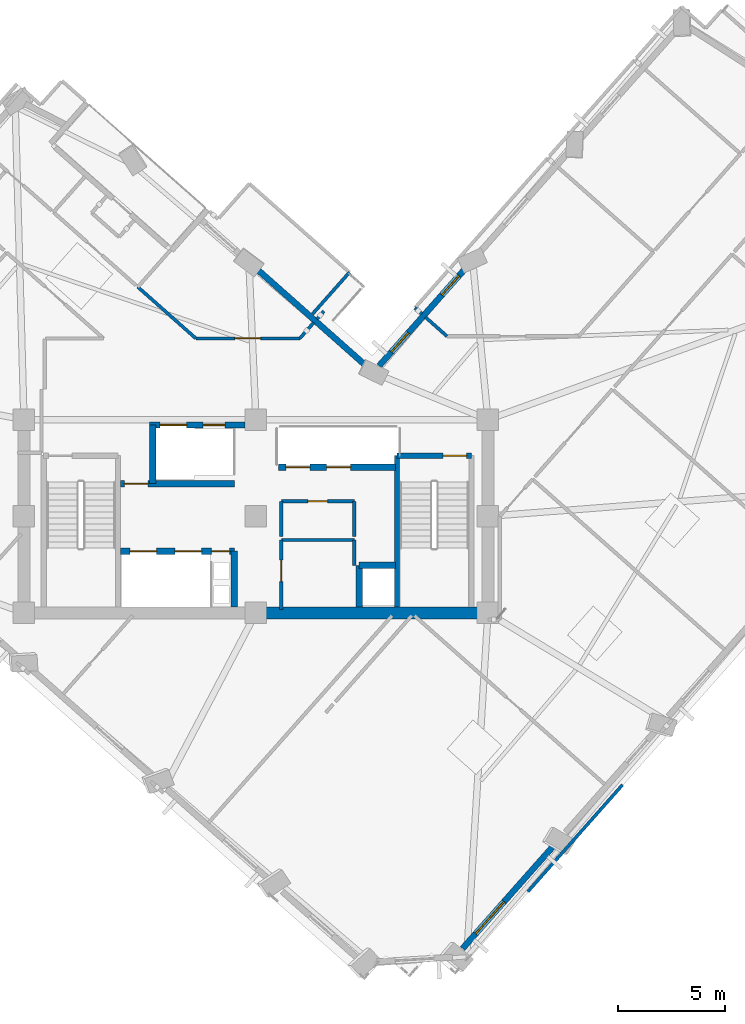
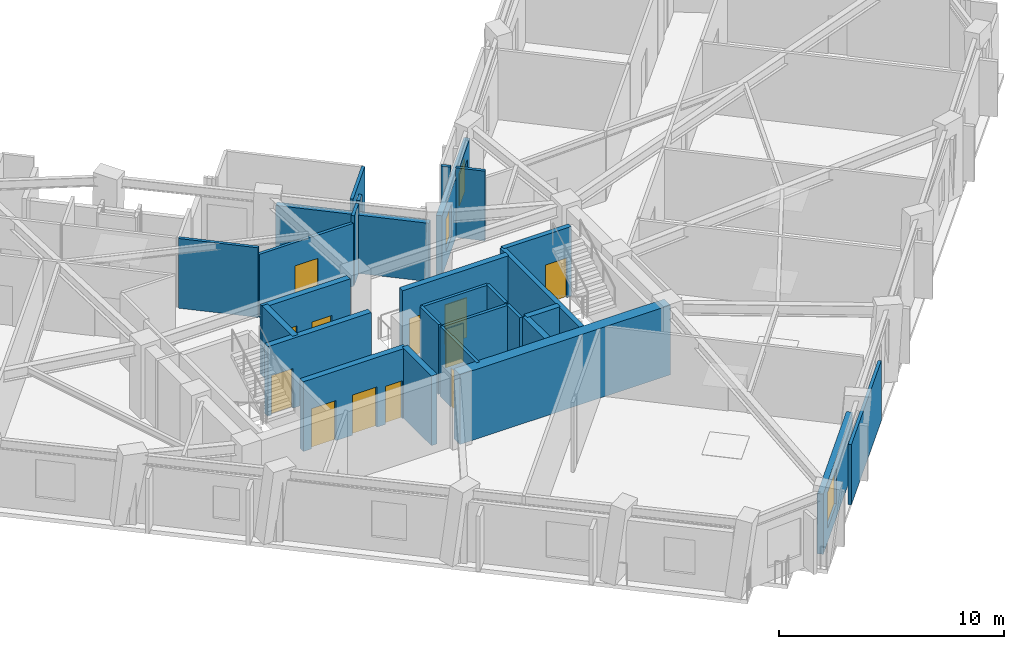
# One storey, part 6 of 13: 28 walls, 12 doors, 3 windows, 15 openings.
"""IFC4 building model written with IfcOpenShell, lengths in metres."""

from ifc_helpers import new_model, si_unit, direction, frame, frame_2d, origin, place, context, subcontext, project, spatial, rectangle, extrude, material, layer, layer_set, type_object, element, fill, save


model = new_model("IFC4")

# Units and contexts
model_context = context("Model", 3, precision=1e-05, world=origin(), true_north=direction((0.0, 1.0)))
body_context = subcontext(model_context, "Body", "Model", "MODEL_VIEW")
ifc_project = project(units=[si_unit("LENGTHUNIT", "METRE"), si_unit("AREAUNIT", "SQUARE_METRE"), si_unit("VOLUMEUNIT", "CUBIC_METRE"), si_unit("PLANEANGLEUNIT", "RADIAN"), si_unit("MASSUNIT", "GRAM", prefix="KILO")], contexts=[model_context])

# Site, building, storey
site_placement = place(None, origin())
site = spatial("IfcSite", under=ifc_project, at=site_placement, CompositionType="ELEMENT")
building_placement = place(site_placement, origin())
building = spatial("IfcBuilding", under=site, at=building_placement, Name="Gaonmaruhae Medical Tower", CompositionType="ELEMENT")
storey_placement = place(building_placement, frame((0.0, 0.0, 231.199951171875)))
storey = spatial("IfcBuildingStorey", under=building, at=storey_placement, Name="L55", CompositionType="ELEMENT", Elevation=231.199951171875)

# Wall
ifc_material_1 = material(Name="Concrete C50/60", Category="concrete")
ifc_layer_1 = layer(ifc_material_1, 0.550048828125)
ifc_layer_set_1 = layer_set([ifc_layer_1], Name="Concrete C50/60")
wall_type_1 = type_object("IfcWallType", Name="CW-550 Mid-High Core Shear Wall", PredefinedType="SHEAR", material=ifc_layer_set_1)
wall_1_placement = place(storey_placement, frame((24.800048828125, 7.800048828125, 0.0), z_axis=(0.0, 0.0, 1.0), x_axis=(1.0, 0.0, 0.0)))
element("IfcWall", 1, at=wall_1_placement, inside=storey, type_object=wall_type_1, Name="L55 Core Shear Wall CSW-S2", PredefinedType="SHEAR", context=body_context, shape_type="SweptSolid", body=[
    extrude(rectangle(XDim=10.800048828125, YDim=0.550048828125, at=frame_2d((5.39990234375, 0.0))), origin(), (0.0, 0.0, 1.0), 3.780029296875),
])

# Wall, opening, window
ifc_material_2 = material(Name="Precast concrete C45/55", Category="concrete")
ifc_layer_2 = layer(ifc_material_2, 0.280029296875)
ifc_layer_set_2 = layer_set([ifc_layer_2], Name="Precast concrete C45/55")
wall_type_2 = type_object("IfcWallType", Name="EW-280 Upper Precast Masonry-Frame Facade Wall", PredefinedType="SOLIDWALL", material=ifc_layer_set_2)
wall_2_placement = place(storey_placement, frame((38.7197265625, -2.96923828125, 0.0), z_axis=(0.0, 0.0, 1.0), x_axis=(-0.663281157771, -0.748370299882, 0.0)))
wall_2 = element("IfcWall", 2, at=wall_2_placement, inside=storey, type_object=wall_type_2, Name="L55 Precast Masonry-Frame Wall S01-S02", PredefinedType="SOLIDWALL", context=body_context, shape_type="SweptSolid", body=[
    extrude(rectangle(XDim=6.484375, YDim=0.280029296875, at=frame_2d((3.2421875, 0.0))), origin(), (0.0, 0.0, 1.0), 3.26513671875),
])
opening_1_placement = place(wall_2_placement, frame((3.573974609375, 0.0, 0.75)))
opening_1 = element("IfcOpeningElement", 3, at=opening_1_placement, cuts=wall_2, Name="Opening WN-02", PredefinedType="OPENING", context=body_context, shape_type="SweptSolid", body=[
    extrude(rectangle(XDim=2.0, YDim=1.949951171875, at=frame_2d((1.0, 0.97509765625))), frame((0.0, 0.14990234375, 0.0), z_axis=(0.0, -1.0, 0.0), x_axis=(1.0, 0.0, 0.0)), (0.0, 0.0, 1.0), 0.300048828125),
])
ifc_material_3 = material(Name="Anodised aluminium and Low-E double glazing", Category="aluminium")
window_type_1 = type_object("IfcWindowType", Name="WN-02 Double-Bed Ward Punched Window 2000x1950", PartitioningType="SINGLE_PANEL", PredefinedType="WINDOW", material=ifc_material_3)
window_1_placement = place(opening_1_placement, origin())
window_1 = element("IfcWindow", 4, at=window_1_placement, inside=storey, type_object=window_type_1, Name="L55 Modular Facade Window S01", OverallHeight=1.949951171875, OverallWidth=2.0, PartitioningType="SINGLE_PANEL", PredefinedType="WINDOW", context=body_context, shape_type="SweptSolid", body=[
    extrude(rectangle(XDim=2.0, YDim=1.949951171875, at=frame_2d((1.0, 0.97509765625))), frame((0.0, 0.030029296875, 0.0), z_axis=(0.0, -1.0, 0.0), x_axis=(1.0, 0.0, 0.0)), (0.0, 0.0, 1.0), 0.06005859375),
])
fill(opening_1, window_1)

# Wall, openings, windows
wall_3_placement = place(storey_placement, frame((30.534912109375, 19.30615234375, 0.0), z_axis=(0.0, 0.0, 1.0), x_axis=(0.663265631708, 0.748384060356, 0.0)))
wall_3 = element("IfcWall", 5, at=wall_3_placement, inside=storey, type_object=wall_type_2, Name="L55 Precast Masonry-Frame Wall EN02-KN01", PredefinedType="SOLIDWALL", context=body_context, shape_type="SweptSolid", body=[
    extrude(rectangle(XDim=6.158203125, YDim=0.280029296875, at=frame_2d((3.0791015625, 0.0))), origin(), (0.0, 0.0, 1.0), 3.26513671875),
])
opening_2_placement = place(wall_3_placement, frame((0.858154296875, 0.0, 0.75)))
opening_2 = element("IfcOpeningElement", 6, at=opening_2_placement, cuts=wall_3, Name="Opening WN-05", PredefinedType="OPENING", context=body_context, shape_type="SweptSolid", body=[
    extrude(rectangle(XDim=1.199951171875, YDim=1.75, at=frame_2d((0.60009765625, 0.875))), frame((0.0, 0.14990234375, 0.0), z_axis=(0.0, -1.0, 0.0), x_axis=(1.0, 0.0, 0.0)), (0.0, 0.0, 1.0), 0.300048828125),
])
opening_3_placement = place(wall_3_placement, frame((4.40625, 0.0, 0.75)))
opening_3 = element("IfcOpeningElement", 7, at=opening_3_placement, cuts=wall_3, Name="Opening WN-05", PredefinedType="OPENING", context=body_context, shape_type="SweptSolid", body=[
    extrude(rectangle(XDim=1.199951171875, YDim=1.75, at=frame_2d((0.60009765625, 0.875))), frame((0.0, 0.14990234375, 0.0), z_axis=(0.0, -1.0, 0.0), x_axis=(1.0, 0.0, 0.0)), (0.0, 0.0, 1.0), 0.300048828125),
])
window_type_2 = type_object("IfcWindowType", Name="WN-05 Support & Staff Punched Window 1200x1750", PartitioningType="SINGLE_PANEL", PredefinedType="WINDOW", material=ifc_material_3)
window_2_placement = place(opening_2_placement, origin())
window_2 = element("IfcWindow", 8, at=window_2_placement, inside=storey, type_object=window_type_2, Name="L55 Modular Facade Window EN02", OverallHeight=1.75, OverallWidth=1.199951171875, PartitioningType="SINGLE_PANEL", PredefinedType="WINDOW", context=body_context, shape_type="SweptSolid", body=[
    extrude(rectangle(XDim=1.199951171875, YDim=1.75, at=frame_2d((0.60009765625, 0.875))), frame((0.0, 0.030029296875, 0.0), z_axis=(0.0, -1.0, 0.0), x_axis=(1.0, 0.0, 0.0)), (0.0, 0.0, 1.0), 0.06005859375),
])
fill(opening_2, window_2)
window_3_placement = place(opening_3_placement, origin())
window_3 = element("IfcWindow", 9, at=window_3_placement, inside=storey, type_object=window_type_2, Name="L55 Modular Facade Window EN02B", OverallHeight=1.75, OverallWidth=1.199951171875, PartitioningType="SINGLE_PANEL", PredefinedType="WINDOW", context=body_context, shape_type="SweptSolid", body=[
    extrude(rectangle(XDim=1.199951171875, YDim=1.75, at=frame_2d((0.60009765625, 0.875))), frame((0.0, 0.030029296875, 0.0), z_axis=(0.0, -1.0, 0.0), x_axis=(1.0, 0.0, 0.0)), (0.0, 0.0, 1.0), 0.06005859375),
])
fill(opening_3, window_3)

# Wall
wall_4_placement = place(storey_placement, frame((24.8017578125, 23.845458984375, 0.0), z_axis=(0.0, 0.0, 1.0), x_axis=(0.748368709558, -0.663282952106, 0.0)))
element("IfcWall", 10, at=wall_4_placement, inside=storey, type_object=wall_type_2, Name="L55 Precast Masonry-Frame Wall KN01-NE01", PredefinedType="SOLIDWALL", context=body_context, shape_type="SweptSolid", body=[
    extrude(rectangle(XDim=6.958251953125, YDim=0.280029296875, at=frame_2d((3.47900390625, 0.0))), origin(), (0.0, 0.0, 1.0), 3.1650390625),
])

# Wall, opening, door
ifc_material_4 = material(Name="Gypsum board partition", Category="gypsum")
ifc_layer_3 = layer(ifc_material_4, 0.14990234375)
ifc_layer_set_3 = layer_set([ifc_layer_3], Name="Gypsum board partition")
wall_type_3 = type_object("IfcWallType", Name="PW-150 Rated Clinical Corridor Partition", PredefinedType="PARTITIONING", material=ifc_layer_set_3)
wall_5_placement = place(storey_placement, frame((25.97998046875, 7.9599609375, 0.0), z_axis=(0.0, 0.0, 1.0), x_axis=(0.0, 1.0, 0.0)))
wall_5 = element("IfcWall", 11, at=wall_5_placement, inside=storey, type_object=wall_type_3, Name="L55 Interior Partition L55-RCL1-1", PredefinedType="PARTITIONING", context=body_context, shape_type="SweptSolid", body=[
    extrude(rectangle(XDim=3.239990234375, YDim=0.14990234375, at=frame_2d((1.6201171875, 0.0))), origin(), (0.0, 0.0, 1.0), 3.780029296875),
])
opening_4_placement = place(wall_5_placement, frame((1.294921875, 0.0, 0.0)))
opening_4 = element("IfcOpeningElement", 12, at=opening_4_placement, cuts=wall_5, Name="Opening CD-01", PredefinedType="OPENING", context=body_context, shape_type="SweptSolid", body=[
    extrude(rectangle(XDim=1.0, YDim=2.1201171875, at=frame_2d((0.5, 1.06005859375))), frame((0.0, 0.0849609375, 0.0), z_axis=(0.0, -1.0, 0.0), x_axis=(1.0, 0.0, 0.0)), (0.0, 0.0, 1.0), 0.169921875),
])
ifc_material_5 = material(Name="Antimicrobial laminate timber fire door", Category="wood")
door_type_1 = type_object("IfcDoorType", Name="CD-01 Consultation & Physician Office Door 1000x2120", OperationType="NOTDEFINED", PredefinedType="DOOR", material=ifc_material_5)
door_1_placement = place(opening_4_placement, origin())
door_1 = element("IfcDoor", 13, at=door_1_placement, inside=storey, type_object=door_type_1, Name="L55 Clinical Telemetry and Medication Room Door", OperationType="SINGLE_SWING_LEFT", OverallHeight=2.1201171875, OverallWidth=1.0, PredefinedType="DOOR", context=body_context, shape_type="SweptSolid", body=[
    extrude(rectangle(XDim=1.0, YDim=2.1201171875, at=frame_2d((0.5, 1.06005859375))), frame((0.0, 0.02490234375, 0.0), z_axis=(0.0, -1.0, 0.0), x_axis=(1.0, 0.0, 0.0)), (0.0, 0.0, 1.0), 0.050048828125),
])
fill(opening_4, door_1)

# Walls
wall_6_placement = place(storey_placement, frame((25.97998046875, 11.199951171875, 0.0), z_axis=(0.0, 0.0, 1.0), x_axis=(1.0, 0.0, 0.0)))
element("IfcWall", 14, at=wall_6_placement, inside=storey, type_object=wall_type_3, Name="L55 Interior Partition L55-RCL1-2", PredefinedType="PARTITIONING", context=body_context, shape_type="SweptSolid", body=[
    extrude(rectangle(XDim=3.39990234375, YDim=0.14990234375, at=frame_2d((1.699951171875, 0.0))), origin(), (0.0, 0.0, 1.0), 3.780029296875),
])
wall_7_placement = place(storey_placement, frame((29.3798828125, 11.199951171875, 0.0), z_axis=(0.0, 0.0, 1.0), x_axis=(0.0, -1.0, 0.0)))
element("IfcWall", 15, at=wall_7_placement, inside=storey, type_object=wall_type_3, Name="L55 Interior Partition L55-RCL1-3", PredefinedType="PARTITIONING", context=body_context, shape_type="SweptSolid", body=[
    extrude(rectangle(XDim=1.179931640625, YDim=0.14990234375, at=frame_2d((0.58984375, 0.0))), origin(), (0.0, 0.0, 1.0), 3.780029296875),
])
wall_8_placement = place(storey_placement, frame((25.97998046875, 11.360107421875, 0.0), z_axis=(0.0, 0.0, 1.0), x_axis=(0.0, 1.0, 0.0)))
element("IfcWall", 16, at=wall_8_placement, inside=storey, type_object=wall_type_3, Name="L55 Interior Partition L55-CS1-4", PredefinedType="PARTITIONING", context=body_context, shape_type="SweptSolid", body=[
    extrude(rectangle(XDim=1.639892578125, YDim=0.14990234375, at=frame_2d((0.81982421875, 0.0))), origin(), (0.0, 0.0, 1.0), 3.780029296875),
])

# Wall, opening, door
wall_9_placement = place(storey_placement, frame((25.97998046875, 13.0, 0.0), z_axis=(0.0, 0.0, 1.0), x_axis=(1.0, 0.0, 0.0)))
wall_9 = element("IfcWall", 17, at=wall_9_placement, inside=storey, type_object=wall_type_3, Name="L55 Interior Partition L55-CS1-5", PredefinedType="PARTITIONING", context=body_context, shape_type="SweptSolid", body=[
    extrude(rectangle(XDim=3.39990234375, YDim=0.14990234375, at=frame_2d((1.699951171875, 0.0))), origin(), (0.0, 0.0, 1.0), 3.780029296875),
])
opening_5_placement = place(wall_9_placement, frame((1.239990234375, 0.0, 0.0)))
opening_5 = element("IfcOpeningElement", 18, at=opening_5_placement, cuts=wall_9, Name="Opening UD-01", PredefinedType="OPENING", context=body_context, shape_type="SweptSolid", body=[
    extrude(rectangle(XDim=0.919921875, YDim=2.10009765625, at=frame_2d((0.4599609375, 1.050048828125))), frame((0.0, 0.0849609375, 0.0), z_axis=(0.0, -1.0, 0.0), x_axis=(1.0, 0.0, 0.0)), (0.0, 0.0, 1.0), 0.169921875),
])
ifc_material_6 = material(Name="Powder-coated steel utility door", Category="steel")
door_type_2 = type_object("IfcDoorType", Name="UD-01 Toilet, Utility & Housekeeping Door 920x2100", OperationType="NOTDEFINED", PredefinedType="DOOR", material=ifc_material_6)
door_2_placement = place(opening_5_placement, origin())
door_2 = element("IfcDoor", 19, at=door_2_placement, inside=storey, type_object=door_type_2, Name="L55 Accessible Staff Toilet Door", OperationType="SINGLE_SWING_RIGHT", OverallHeight=2.10009765625, OverallWidth=0.919921875, PredefinedType="DOOR", context=body_context, shape_type="SweptSolid", body=[
    extrude(rectangle(XDim=0.919921875, YDim=2.10009765625, at=frame_2d((0.4599609375, 1.050048828125))), frame((0.0, 0.02490234375, 0.0), z_axis=(0.0, -1.0, 0.0), x_axis=(1.0, 0.0, 0.0)), (0.0, 0.0, 1.0), 0.050048828125),
])
fill(opening_5, door_2)

# Walls
wall_10_placement = place(storey_placement, frame((29.3798828125, 13.0, 0.0), z_axis=(0.0, 0.0, 1.0), x_axis=(0.0, -1.0, 0.0)))
element("IfcWall", 20, at=wall_10_placement, inside=storey, type_object=wall_type_3, Name="L55 Interior Partition L55-CS1-6", PredefinedType="PARTITIONING", context=body_context, shape_type="SweptSolid", body=[
    extrude(rectangle(XDim=1.639892578125, YDim=0.14990234375, at=frame_2d((0.81982421875, 0.0))), origin(), (0.0, 0.0, 1.0), 3.780029296875),
])
wall_11_placement = place(storey_placement, frame((33.695068359375, 20.679931640625, 0.0), z_axis=(0.0, 0.0, 1.0), x_axis=(-0.748314025741, 0.663344645625, 0.0)))
element("IfcWall", 21, at=wall_11_placement, inside=storey, type_object=wall_type_3, Name="L55 Interior Partition L55-IE02-53", PredefinedType="PARTITIONING", context=body_context, shape_type="SweptSolid", body=[
    extrude(rectangle(XDim=1.3388671875, YDim=0.14990234375, at=frame_2d((0.66943359375, 0.0))), origin(), (0.0, 0.0, 1.0), 3.780029296875),
])
wall_12_placement = place(storey_placement, frame((32.52099609375, 21.720947265625, 0.0), z_axis=(0.0, 0.0, 1.0), x_axis=(-0.748277169325, 0.663386220739, 0.0)))
element("IfcWall", 22, at=wall_12_placement, inside=storey, type_object=wall_type_3, Name="L55 Interior Partition L55-IE02-54", PredefinedType="PARTITIONING", context=body_context, shape_type="SweptSolid", body=[
    extrude(rectangle(XDim=0.434326171875, YDim=0.14990234375, at=frame_2d((0.21728515625, 0.0))), origin(), (0.0, 0.0, 1.0), 3.780029296875),
])
wall_13_placement = place(storey_placement, frame((27.9619140625, 21.845947265625, 0.0), z_axis=(0.0, 0.0, 1.0), x_axis=(-0.663582811179, -0.74810283565, 0.0)))
element("IfcWall", 23, at=wall_13_placement, inside=storey, type_object=wall_type_3, Name="L55 Interior Partition L55-IN01-66", PredefinedType="PARTITIONING", context=body_context, shape_type="SweptSolid", body=[
    extrude(rectangle(XDim=0.4853515625, YDim=0.14990234375, at=frame_2d((0.24267578125, 0.0))), origin(), (0.0, 0.0, 1.0), 3.780029296875),
])
wall_14_placement = place(storey_placement, frame((27.488037109375, 21.31103515625, 0.0), z_axis=(0.0, 0.0, 1.0), x_axis=(-0.663339325508, -0.748318741737, 0.0)))
element("IfcWall", 24, at=wall_14_placement, inside=storey, type_object=wall_type_3, Name="L55 Interior Partition L55-IN01-67", PredefinedType="PARTITIONING", context=body_context, shape_type="SweptSolid", body=[
    extrude(rectangle(XDim=0.976806640625, YDim=0.14990234375, at=frame_2d((0.48828125, 0.0))), origin(), (0.0, 0.0, 1.0), 3.780029296875),
])

# Wall, opening, door
wall_15_placement = place(storey_placement, frame((26.840087890625, 20.580078125, 0.0), z_axis=(0.0, 0.0, 1.0), x_axis=(-1.0, 0.0, 0.0)))
wall_15 = element("IfcWall", 25, at=wall_15_placement, inside=storey, type_object=wall_type_3, Name="L55 Interior Partition L55-IN01-68", PredefinedType="PARTITIONING", context=body_context, shape_type="SweptSolid", body=[
    extrude(rectangle(XDim=4.837158203125, YDim=0.14990234375, at=frame_2d((2.41845703125, 0.0))), origin(), (0.0, 0.0, 1.0), 3.4150390625),
])
opening_6_placement = place(wall_15_placement, frame((1.818603515625, 0.0, 0.0)))
opening_6 = element("IfcOpeningElement", 26, at=opening_6_placement, cuts=wall_15, Name="Opening CD-02", PredefinedType="OPENING", context=body_context, shape_type="SweptSolid", body=[
    extrude(rectangle(XDim=1.199951171875, YDim=2.14990234375, at=frame_2d((0.60009765625, 1.074951171875))), frame((0.0, 0.0849609375, 0.0), z_axis=(0.0, -1.0, 0.0), x_axis=(1.0, 0.0, 0.0)), (0.0, 0.0, 1.0), 0.169921875),
])
door_type_3 = type_object("IfcDoorType", Name="CD-02 Clinical Treatment & Procedure Door 1200x2150", OperationType="NOTDEFINED", PredefinedType="DOOR", material=ifc_material_5)
door_3_placement = place(opening_6_placement, origin())
door_3 = element("IfcDoor", 27, at=door_3_placement, inside=storey, type_object=door_type_3, Name="L55 Physician Consultation Office Door", OperationType="SINGLE_SWING_LEFT", OverallHeight=2.14990234375, OverallWidth=1.199951171875, PredefinedType="DOOR", context=body_context, shape_type="SweptSolid", body=[
    extrude(rectangle(XDim=1.199951171875, YDim=2.14990234375, at=frame_2d((0.60009765625, 1.074951171875))), frame((0.0, 0.02490234375, 0.0), z_axis=(0.0, -1.0, 0.0), x_axis=(1.0, 0.0, 0.0)), (0.0, 0.0, 1.0), 0.050048828125),
])
fill(opening_6, door_3)

# Walls
wall_16_placement = place(storey_placement, frame((22.0029296875, 20.580078125, 0.0), z_axis=(0.0, 0.0, 1.0), x_axis=(-0.748326342524, 0.663330750896, 0.0)))
element("IfcWall", 28, at=wall_16_placement, inside=storey, type_object=wall_type_3, Name="L55 Interior Partition L55-IN01-69", PredefinedType="PARTITIONING", context=body_context, shape_type="SweptSolid", body=[
    extrude(rectangle(XDim=3.610595703125, YDim=0.14990234375, at=frame_2d((1.80517578125, 0.0))), origin(), (0.0, 0.0, 1.0), 3.780029296875),
])
wall_17_placement = place(storey_placement, frame((41.864990234375, -0.2041015625, 0.0), z_axis=(0.0, 0.0, 1.0), x_axis=(-0.663283646293, -0.748368094296, 0.0)))
element("IfcWall", 29, at=wall_17_placement, inside=storey, type_object=wall_type_3, Name="L55 Interior Partition L55-RM01-82", PredefinedType="PARTITIONING", context=body_context, shape_type="SweptSolid", body=[
    extrude(rectangle(XDim=6.639892578125, YDim=0.14990234375, at=frame_2d((3.31982421875, 0.0))), origin(), (0.0, 0.0, 1.0), 3.26513671875),
])
wall_18_placement = place(storey_placement, frame((29.156005859375, 23.660888671875, 0.0), z_axis=(0.0, 0.0, 1.0), x_axis=(-0.663362704321, -0.74829801718, 0.0)))
element("IfcWall", 30, at=wall_18_placement, inside=storey, type_object=wall_type_3, Name="L55 Interior Partition L55-RM03-88", PredefinedType="PARTITIONING", context=body_context, shape_type="SweptSolid", body=[
    extrude(rectangle(XDim=2.58984375, YDim=0.14990234375, at=frame_2d((1.294921875, 0.0))), origin(), (0.0, 0.0, 1.0), 3.780029296875),
])

# Wall, opening, door
ifc_layer_4 = layer(ifc_material_1, 0.239990234375)
ifc_layer_set_4 = layer_set([ifc_layer_4], Name="Concrete C50/60")
wall_type_4 = type_object("IfcWallType", Name="SW-240 Dogleg Stair Tight Shaft Wall", PredefinedType="SOLIDWALL", material=ifc_layer_set_4)
wall_19_placement = place(storey_placement, frame((31.3701171875, 15.1201171875, 0.0), z_axis=(0.0, 0.0, 1.0), x_axis=(1.0, 0.0, 0.0)))
wall_19 = element("IfcWall", 31, at=wall_19_placement, inside=storey, type_object=wall_type_4, Name="L55 ST-02 Stair Shaft Wall SHW-ST-02-N", PredefinedType="SOLIDWALL", context=body_context, shape_type="SweptSolid", body=[
    extrude(rectangle(XDim=3.4599609375, YDim=0.239990234375, at=frame_2d((1.72998046875, 0.0))), origin(), (0.0, 0.0, 1.0), 3.780029296875),
])
opening_7_placement = place(wall_19_placement, frame((2.139892578125, 0.0, 0.0)))
opening_7 = element("IfcOpeningElement", 32, at=opening_7_placement, cuts=wall_19, Name="Opening FD-01", PredefinedType="OPENING", context=body_context, shape_type="SweptSolid", body=[
    extrude(rectangle(XDim=1.10009765625, YDim=2.14990234375, at=frame_2d((0.550048828125, 1.074951171875))), frame((0.0, 0.1298828125, 0.0), z_axis=(0.0, -1.0, 0.0), x_axis=(1.0, 0.0, 0.0)), (0.0, 0.0, 1.0), 0.260009765625),
])
ifc_material_7 = material(Name="Powder-coated steel fire door", Category="steel")
door_type_4 = type_object("IfcDoorType", Name="FD-01 Escape Stair Protected Fire Door 1100x2150", OperationType="NOTDEFINED", PredefinedType="DOOR", material=ifc_material_7)
door_4_placement = place(opening_7_placement, origin())
door_4 = element("IfcDoor", 33, at=door_4_placement, inside=storey, type_object=door_type_4, Name="L55 ST-02 Protected Escape Stair Door", OperationType="SINGLE_SWING_RIGHT", OverallHeight=2.14990234375, OverallWidth=1.10009765625, PredefinedType="DOOR", context=body_context, shape_type="SweptSolid", body=[
    extrude(rectangle(XDim=1.10009765625, YDim=2.14990234375, at=frame_2d((0.550048828125, 1.074951171875))), frame((0.0, 0.02490234375, 0.0), z_axis=(0.0, -1.0, 0.0), x_axis=(1.0, 0.0, 0.0)), (0.0, 0.0, 1.0), 0.050048828125),
])
fill(opening_7, door_4)

# Wall
wall_20_placement = place(storey_placement, frame((31.3701171875, 8.074951171875, 0.0), z_axis=(0.0, 0.0, 1.0), x_axis=(0.0, 1.0, 0.0)))
element("IfcWall", 34, at=wall_20_placement, inside=storey, type_object=wall_type_4, Name="L55 ST-02 Stair Shaft Wall SHW-ST-02-W", PredefinedType="SOLIDWALL", context=body_context, shape_type="SweptSolid", body=[
    extrude(rectangle(XDim=7.045166015625, YDim=0.239990234375, at=frame_2d((3.5224609375, 0.0))), origin(), (0.0, 0.0, 1.0), 3.780029296875),
])

# Wall, openings, doors
ifc_layer_5 = layer(ifc_material_1, 0.300048828125)
ifc_layer_set_5 = layer_set([ifc_layer_5], Name="Concrete C50/60")
wall_type_5 = type_object("IfcWallType", Name="SW-300 Stair & Lift Hoistway Shaft Wall", PredefinedType="SOLIDWALL", material=ifc_layer_set_5)
wall_21_placement = place(storey_placement, frame((19.85009765625, 16.550048828125, 0.0), z_axis=(0.0, 0.0, 1.0), x_axis=(1.0, 0.0, 0.0)))
wall_21 = element("IfcWall", 35, at=wall_21_placement, inside=storey, type_object=wall_type_5, Name="L55 Core Shear Wall CSW-NB", PredefinedType="SOLIDWALL", context=body_context, shape_type="SweptSolid", body=[
    extrude(rectangle(XDim=4.449951171875, YDim=0.300048828125, at=frame_2d((2.22509765625, 0.0))), origin(), (0.0, 0.0, 1.0), 3.780029296875),
])
opening_8_placement = place(wall_21_placement, frame((0.47509765625, 0.0, 0.0)))
opening_8 = element("IfcOpeningElement", 36, at=opening_8_placement, cuts=wall_21, Name="Opening LD-F1", PredefinedType="OPENING", context=body_context, shape_type="SweptSolid", body=[
    extrude(rectangle(XDim=1.25, YDim=2.179931640625, at=frame_2d((0.625, 1.08984375))), frame((0.0, 0.16015625, 0.0), z_axis=(0.0, -1.0, 0.0), x_axis=(1.0, 0.0, 0.0)), (0.0, 0.0, 1.0), 0.320068359375),
])
opening_9_placement = place(wall_21_placement, frame((2.489990234375, 0.0, 0.0)))
opening_9 = element("IfcOpeningElement", 37, at=opening_9_placement, cuts=wall_21, Name="Opening LD-S1", PredefinedType="OPENING", context=body_context, shape_type="SweptSolid", body=[
    extrude(rectangle(XDim=1.02001953125, YDim=2.1201171875, at=frame_2d((0.510009765625, 1.06005859375))), frame((0.0, 0.16015625, 0.0), z_axis=(0.0, -1.0, 0.0), x_axis=(1.0, 0.0, 0.0)), (0.0, 0.0, 1.0), 0.320068359375),
])
ifc_material_8 = material(Name="Brushed stainless steel 316L landing door", Category="steel")
door_type_5 = type_object("IfcDoorType", Name="LD-F1 Firefighting & Bed Lift Sliding Landing Door 1250x2180", OperationType="NOTDEFINED", PredefinedType="DOOR", material=ifc_material_8)
door_5_placement = place(opening_8_placement, origin())
door_5 = element("IfcDoor", 38, at=door_5_placement, inside=storey, type_object=door_type_5, Name="L55 Service/Bed Lift Landing Door BDL-01", OperationType="DOUBLE_DOOR_SLIDING", OverallHeight=2.179931640625, OverallWidth=1.25, PredefinedType="DOOR", context=body_context, shape_type="SweptSolid", body=[
    extrude(rectangle(XDim=1.25, YDim=2.179931640625, at=frame_2d((0.625, 1.08984375))), frame((0.0, 0.02490234375, 0.0), z_axis=(0.0, -1.0, 0.0), x_axis=(1.0, 0.0, 0.0)), (0.0, 0.0, 1.0), 0.050048828125),
])
fill(opening_8, door_5)
ifc_material_9 = material(Name="Brushed stainless steel 304 landing door", Category="steel")
door_type_6 = type_object("IfcDoorType", Name="LD-S1 Service Lift Sliding Landing Door 1020x2120", OperationType="NOTDEFINED", PredefinedType="DOOR", material=ifc_material_9)
door_6_placement = place(opening_9_placement, origin())
door_6 = element("IfcDoor", 39, at=door_6_placement, inside=storey, type_object=door_type_6, Name="L55 Service/Bed Lift Landing Door SVL-01", OperationType="SLIDING_TO_LEFT", OverallHeight=2.1201171875, OverallWidth=1.02001953125, PredefinedType="DOOR", context=body_context, shape_type="SweptSolid", body=[
    extrude(rectangle(XDim=1.02001953125, YDim=2.1201171875, at=frame_2d((0.510009765625, 1.06005859375))), frame((0.0, 0.02490234375, 0.0), z_axis=(0.0, -1.0, 0.0), x_axis=(1.0, 0.0, 0.0)), (0.0, 0.0, 1.0), 0.050048828125),
])
fill(opening_9, door_6)

wall_22_placement = place(storey_placement, frame((18.5, 10.679931640625, 0.0), z_axis=(0.0, 0.0, 1.0), x_axis=(1.0, 0.0, 0.0)))
wall_22 = element("IfcWall", 40, at=wall_22_placement, inside=storey, type_object=wall_type_5, Name="L55 Shaft Enclosure Wall SHW-FFN", PredefinedType="SOLIDWALL", context=body_context, shape_type="SweptSolid", body=[
    extrude(rectangle(XDim=5.300048828125, YDim=0.300048828125, at=frame_2d((2.64990234375, 0.0))), origin(), (0.0, 0.0, 1.0), 3.780029296875),
])
opening_10_placement = place(wall_22_placement, frame((4.219970703125, 0.0, 0.0)))
opening_10 = element("IfcOpeningElement", 41, at=opening_10_placement, cuts=wall_22, Name="Opening AD-01", PredefinedType="OPENING", context=body_context, shape_type="SweptSolid", body=[
    extrude(rectangle(XDim=0.860107421875, YDim=2.06005859375, at=frame_2d((0.43017578125, 1.030029296875))), frame((0.0, 0.16015625, 0.0), z_axis=(0.0, -1.0, 0.0), x_axis=(1.0, 0.0, 0.0)), (0.0, 0.0, 1.0), 0.320068359375),
])
opening_11_placement = place(wall_22_placement, frame((0.425048828125, 0.0, 0.0)))
opening_11 = element("IfcOpeningElement", 42, at=opening_11_placement, cuts=wall_22, Name="Opening LD-F1", PredefinedType="OPENING", context=body_context, shape_type="SweptSolid", body=[
    extrude(rectangle(XDim=1.25, YDim=2.179931640625, at=frame_2d((0.625, 1.08984375))), frame((0.0, 0.16015625, 0.0), z_axis=(0.0, -1.0, 0.0), x_axis=(1.0, 0.0, 0.0)), (0.0, 0.0, 1.0), 0.320068359375),
])
opening_12_placement = place(wall_22_placement, frame((2.52490234375, 0.0, 0.0)))
opening_12 = element("IfcOpeningElement", 43, at=opening_12_placement, cuts=wall_22, Name="Opening LD-F1", PredefinedType="OPENING", context=body_context, shape_type="SweptSolid", body=[
    extrude(rectangle(XDim=1.25, YDim=2.179931640625, at=frame_2d((0.625, 1.08984375))), frame((0.0, 0.16015625, 0.0), z_axis=(0.0, -1.0, 0.0), x_axis=(1.0, 0.0, 0.0)), (0.0, 0.0, 1.0), 0.320068359375),
])
ifc_material_10 = material(Name="Powder-coated steel access door", Category="steel")
door_type_7 = type_object("IfcDoorType", Name="AD-01 Riser & Closet Access Fire Door 860x2060", OperationType="NOTDEFINED", PredefinedType="DOOR", material=ifc_material_10)
door_7_placement = place(opening_10_placement, origin())
door_7 = element("IfcDoor", 44, at=door_7_placement, inside=storey, type_object=door_type_7, Name="L55 Medical Gas and MEP Riser Access Door", OperationType="SINGLE_SWING_RIGHT", OverallHeight=2.06005859375, OverallWidth=0.860107421875, PredefinedType="DOOR", context=body_context, shape_type="SweptSolid", body=[
    extrude(rectangle(XDim=0.860107421875, YDim=2.06005859375, at=frame_2d((0.43017578125, 1.030029296875))), frame((0.0, 0.02490234375, 0.0), z_axis=(0.0, -1.0, 0.0), x_axis=(1.0, 0.0, 0.0)), (0.0, 0.0, 1.0), 0.050048828125),
])
fill(opening_10, door_7)
door_8_placement = place(opening_11_placement, origin())
door_8 = element("IfcDoor", 45, at=door_8_placement, inside=storey, type_object=door_type_5, Name="L55 Firefighting Lift Landing Door FFL-01", OperationType="DOUBLE_DOOR_SLIDING", OverallHeight=2.179931640625, OverallWidth=1.25, PredefinedType="DOOR", context=body_context, shape_type="SweptSolid", body=[
    extrude(rectangle(XDim=1.25, YDim=2.179931640625, at=frame_2d((0.625, 1.08984375))), frame((0.0, 0.02490234375, 0.0), z_axis=(0.0, -1.0, 0.0), x_axis=(1.0, 0.0, 0.0)), (0.0, 0.0, 1.0), 0.050048828125),
])
fill(opening_11, door_8)
door_9_placement = place(opening_12_placement, origin())
door_9 = element("IfcDoor", 46, at=door_9_placement, inside=storey, type_object=door_type_5, Name="L55 Firefighting Lift Landing Door FFL-02", OperationType="DOUBLE_DOOR_SLIDING", OverallHeight=2.179931640625, OverallWidth=1.25, PredefinedType="DOOR", context=body_context, shape_type="SweptSolid", body=[
    extrude(rectangle(XDim=1.25, YDim=2.179931640625, at=frame_2d((0.625, 1.08984375))), frame((0.0, 0.02490234375, 0.0), z_axis=(0.0, -1.0, 0.0), x_axis=(1.0, 0.0, 0.0)), (0.0, 0.0, 1.0), 0.050048828125),
])
fill(opening_12, door_9)

# Wall, opening, door
wall_23_placement = place(storey_placement, frame((18.5, 13.820068359375, 0.0), z_axis=(0.0, 0.0, 1.0), x_axis=(1.0, 0.0, 0.0)))
wall_23 = element("IfcWall", 47, at=wall_23_placement, inside=storey, type_object=wall_type_5, Name="L55 Shaft Enclosure Wall SHW-FFL", PredefinedType="SOLIDWALL", context=body_context, shape_type="SweptSolid", body=[
    extrude(rectangle(XDim=5.300048828125, YDim=0.300048828125, at=frame_2d((2.64990234375, 0.0))), origin(), (0.0, 0.0, 1.0), 3.780029296875),
])
opening_13_placement = place(wall_23_placement, frame((0.179931640625, 0.0, 0.0)))
opening_13 = element("IfcOpeningElement", 48, at=opening_13_placement, cuts=wall_23, Name="Opening FD-01", PredefinedType="OPENING", context=body_context, shape_type="SweptSolid", body=[
    extrude(rectangle(XDim=1.10009765625, YDim=2.14990234375, at=frame_2d((0.550048828125, 1.074951171875))), frame((0.0, 0.16015625, 0.0), z_axis=(0.0, -1.0, 0.0), x_axis=(1.0, 0.0, 0.0)), (0.0, 0.0, 1.0), 0.320068359375),
])
door_10_placement = place(opening_13_placement, origin())
door_10 = element("IfcDoor", 49, at=door_10_placement, inside=storey, type_object=door_type_4, Name="L55 Firefighting Lobby Smoke Door", OperationType="SINGLE_SWING_LEFT", OverallHeight=2.14990234375, OverallWidth=1.10009765625, PredefinedType="DOOR", context=body_context, shape_type="SweptSolid", body=[
    extrude(rectangle(XDim=1.10009765625, YDim=2.14990234375, at=frame_2d((0.550048828125, 1.074951171875))), frame((0.0, 0.02490234375, 0.0), z_axis=(0.0, -1.0, 0.0), x_axis=(1.0, 0.0, 0.0)), (0.0, 0.0, 1.0), 0.050048828125),
])
fill(opening_13, door_10)

# Walls
wall_24_placement = place(storey_placement, frame((23.800048828125, 8.074951171875, 0.0), z_axis=(0.0, 0.0, 1.0), x_axis=(0.0, 1.0, 0.0)))
element("IfcWall", 50, at=wall_24_placement, inside=storey, type_object=wall_type_5, Name="L55 Shaft Enclosure Wall SHW-FFE", PredefinedType="SOLIDWALL", context=body_context, shape_type="SweptSolid", body=[
    extrude(rectangle(XDim=2.60498046875, YDim=0.300048828125, at=frame_2d((1.302490234375, 0.0))), origin(), (0.0, 0.0, 1.0), 3.780029296875),
])
wall_25_placement = place(storey_placement, frame((20.0, 13.820068359375, 0.0), z_axis=(0.0, 0.0, 1.0), x_axis=(0.0, 1.0, 0.0)))
element("IfcWall", 51, at=wall_25_placement, inside=storey, type_object=wall_type_5, Name="L55 Shaft Enclosure Wall SHW-BDW", PredefinedType="SOLIDWALL", context=body_context, shape_type="SweptSolid", body=[
    extrude(rectangle(XDim=2.72998046875, YDim=0.300048828125, at=frame_2d((1.364990234375, 0.0))), origin(), (0.0, 0.0, 1.0), 3.780029296875),
])
wall_26_placement = place(storey_placement, frame((29.60009765625, 10.02001953125, 0.0), z_axis=(0.0, 0.0, 1.0), x_axis=(1.0, 0.0, 0.0)))
element("IfcWall", 52, at=wall_26_placement, inside=storey, type_object=wall_type_5, Name="L55 Shaft Enclosure Wall SHW-PLS", PredefinedType="SOLIDWALL", context=body_context, shape_type="SweptSolid", body=[
    extrude(rectangle(XDim=1.699951171875, YDim=0.300048828125, at=frame_2d((0.85009765625, 0.0))), origin(), (0.0, 0.0, 1.0), 3.780029296875),
])
wall_27_placement = place(storey_placement, frame((29.60009765625, 8.074951171875, 0.0), z_axis=(0.0, 0.0, 1.0), x_axis=(0.0, 1.0, 0.0)))
element("IfcWall", 53, at=wall_27_placement, inside=storey, type_object=wall_type_5, Name="L55 Shaft Enclosure Wall SHW-PLD1", PredefinedType="SOLIDWALL", context=body_context, shape_type="SweptSolid", body=[
    extrude(rectangle(XDim=1.945068359375, YDim=0.300048828125, at=frame_2d((0.97265625, 0.0))), origin(), (0.0, 0.0, 1.0), 3.780029296875),
])

# Wall, openings, doors
wall_28_placement = place(storey_placement, frame((25.85009765625, 14.580078125, 0.0), z_axis=(0.0, 0.0, 1.0), x_axis=(1.0, 0.0, 0.0)))
wall_28 = element("IfcWall", 54, at=wall_28_placement, inside=storey, type_object=wall_type_5, Name="L55 Shaft Enclosure Wall SHW-PLN", PredefinedType="SOLIDWALL", context=body_context, shape_type="SweptSolid", body=[
    extrude(rectangle(XDim=5.449951171875, YDim=0.300048828125, at=frame_2d((2.72509765625, 0.0))), origin(), (0.0, 0.0, 1.0), 3.780029296875),
])
opening_14_placement = place(wall_28_placement, frame((0.340087890625, 0.0, 0.0)))
opening_14 = element("IfcOpeningElement", 55, at=opening_14_placement, cuts=wall_28, Name="Opening LD-P1", PredefinedType="OPENING", context=body_context, shape_type="SweptSolid", body=[
    extrude(rectangle(XDim=1.1201171875, YDim=2.14990234375, at=frame_2d((0.56005859375, 1.074951171875))), frame((0.0, 0.16015625, 0.0), z_axis=(0.0, -1.0, 0.0), x_axis=(1.0, 0.0, 0.0)), (0.0, 0.0, 1.0), 0.320068359375),
])
opening_15_placement = place(wall_28_placement, frame((2.239990234375, 0.0, 0.0)))
opening_15 = element("IfcOpeningElement", 56, at=opening_15_placement, cuts=wall_28, Name="Opening LD-P1", PredefinedType="OPENING", context=body_context, shape_type="SweptSolid", body=[
    extrude(rectangle(XDim=1.1201171875, YDim=2.14990234375, at=frame_2d((0.56005859375, 1.074951171875))), frame((0.0, 0.16015625, 0.0), z_axis=(0.0, -1.0, 0.0), x_axis=(1.0, 0.0, 0.0)), (0.0, 0.0, 1.0), 0.320068359375),
])
door_type_8 = type_object("IfcDoorType", Name="LD-P1 Passenger Lift Sliding Landing Door 1120x2150", OperationType="NOTDEFINED", PredefinedType="DOOR", material=ifc_material_9)
door_11_placement = place(opening_14_placement, origin())
door_11 = element("IfcDoor", 57, at=door_11_placement, inside=storey, type_object=door_type_8, Name="L55 Passenger Lift Landing Door PL-M1", OperationType="DOUBLE_DOOR_SLIDING", OverallHeight=2.14990234375, OverallWidth=1.1201171875, PredefinedType="DOOR", context=body_context, shape_type="SweptSolid", body=[
    extrude(rectangle(XDim=1.1201171875, YDim=2.14990234375, at=frame_2d((0.56005859375, 1.074951171875))), frame((0.0, 0.02490234375, 0.0), z_axis=(0.0, -1.0, 0.0), x_axis=(1.0, 0.0, 0.0)), (0.0, 0.0, 1.0), 0.050048828125),
])
fill(opening_14, door_11)
door_12_placement = place(opening_15_placement, origin())
door_12 = element("IfcDoor", 58, at=door_12_placement, inside=storey, type_object=door_type_8, Name="L55 Passenger Lift Landing Door PL-M2", OperationType="DOUBLE_DOOR_SLIDING", OverallHeight=2.14990234375, OverallWidth=1.1201171875, PredefinedType="DOOR", context=body_context, shape_type="SweptSolid", body=[
    extrude(rectangle(XDim=1.1201171875, YDim=2.14990234375, at=frame_2d((0.56005859375, 1.074951171875))), frame((0.0, 0.02490234375, 0.0), z_axis=(0.0, -1.0, 0.0), x_axis=(1.0, 0.0, 0.0)), (0.0, 0.0, 1.0), 0.050048828125),
])
fill(opening_15, door_12)

save(model, "model.ifc")
